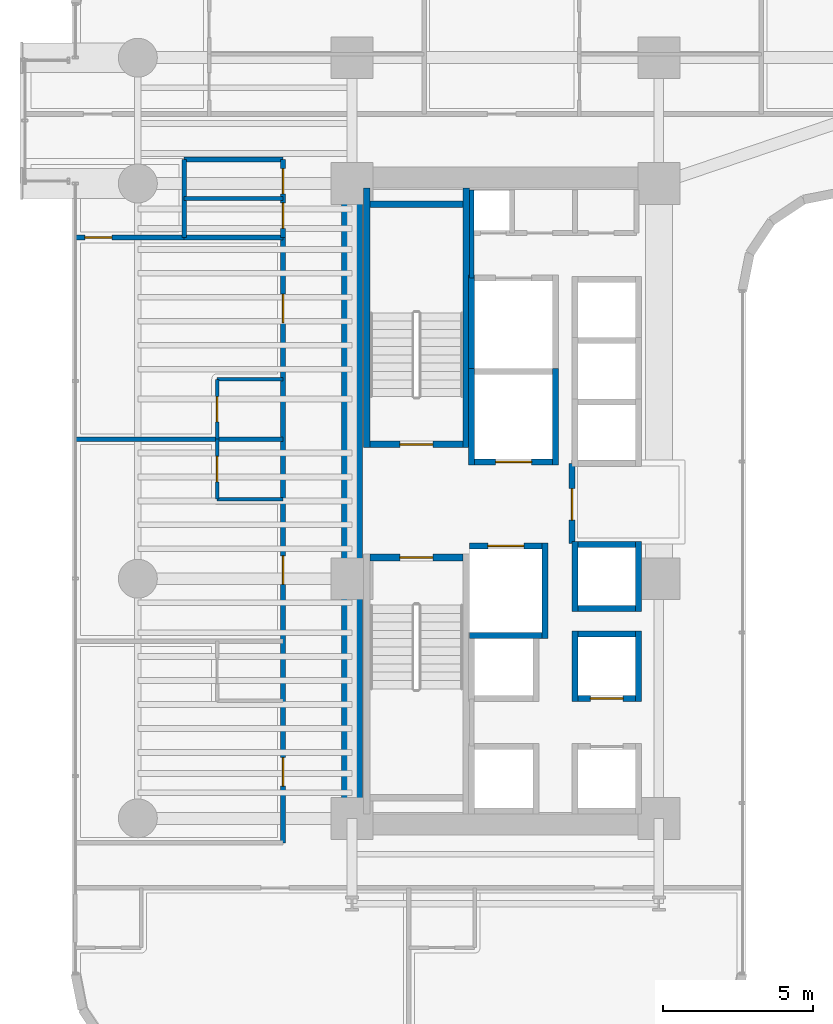
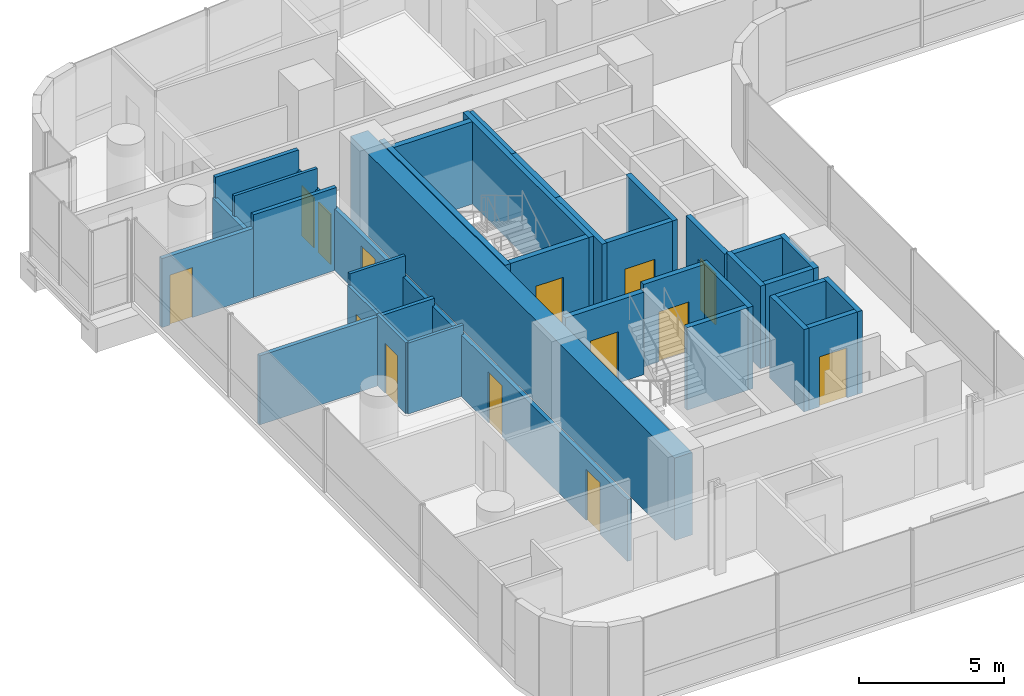
# One storey, part 32 of 42: 35 walls, 14 doors, 14 openings.
"""IFC4 building model written with IfcOpenShell, lengths in metres."""

from ifc_helpers import new_model, si_unit, direction, frame, frame_2d, origin, place, context, subcontext, project, spatial, rectangle, extrude, material, layer, layer_set, type_object, element, fill, save


model = new_model("IFC4")

# Units and contexts
model_context = context("Model", 3, precision=1e-05, world=origin(), true_north=direction((0.0, 1.0)))
body_context = subcontext(model_context, "Body", "Model", "MODEL_VIEW")
ifc_project = project(units=[si_unit("LENGTHUNIT", "METRE"), si_unit("AREAUNIT", "SQUARE_METRE"), si_unit("VOLUMEUNIT", "CUBIC_METRE"), si_unit("PLANEANGLEUNIT", "RADIAN"), si_unit("MASSUNIT", "GRAM", prefix="KILO")], contexts=[model_context])

# Site, building, storey
site_placement = place(None, origin())
site = spatial("IfcSite", under=ifc_project, at=site_placement, CompositionType="ELEMENT")
building_placement = place(site_placement, origin())
building = spatial("IfcBuilding", under=site, at=building_placement, Name="Valdorenza Pilgrim Sanctuary Tower", CompositionType="ELEMENT")
storey_placement = place(building_placement, frame((0.0, 0.0, 55.60009765625)))
storey = spatial("IfcBuildingStorey", under=building, at=storey_placement, Name="L13", CompositionType="ELEMENT", Elevation=55.60009765625)

# Walls
ifc_material_1 = material(Name="Acoustic twin-stud gypsum partition", Category="gypsum")
ifc_layer_1 = layer(ifc_material_1, 0.159912109375, Name="Acoustic twin-stud gypsum partition")
ifc_layer_set_1 = layer_set([ifc_layer_1], Name="Acoustic twin-stud gypsum partition")
wall_type_1 = type_object("IfcWallType", Name="WAL-COR-160", PredefinedType="PARTITIONING", material=ifc_layer_set_1)
wall_1_placement = place(storey_placement, frame((-18.64990234375, 7.449951171875, 0.0), z_axis=(0.0, 0.0, 1.0), x_axis=(0.0, 1.0, 0.0)))
element("IfcWall", 1, at=wall_1_placement, inside=storey, type_object=wall_type_1, Name="L13 Core A North Service West Wall", PredefinedType="PARTITIONING", context=body_context, shape_type="SweptSolid", body=[
    extrude(rectangle(XDim=2.929931640625, YDim=0.159912109375, at=frame_2d((1.46484375, 0.0))), origin(), (0.0, 0.0, 1.0), 3.4599609375),
])
wall_2_placement = place(storey_placement, frame((-28.25, 8.800048828125, 0.0), z_axis=(0.0, 0.0, 1.0), x_axis=(0.0, 1.0, 0.0)))
element("IfcWall", 2, at=wall_2_placement, inside=storey, type_object=wall_type_1, Name="L13 Washroom West Wall", PredefinedType="PARTITIONING", context=body_context, shape_type="SweptSolid", body=[
    extrude(rectangle(XDim=2.599853515625, YDim=0.159912109375, at=frame_2d((1.2998046875, 0.0))), origin(), (0.0, 0.0, 1.0), 2.5830078125),
])

# Wall, openings, doors
wall_3_placement = place(storey_placement, frame((-24.949951171875, 8.800048828125, 0.0), z_axis=(0.0, 0.0, 1.0), x_axis=(0.0, 1.0, 0.0)))
wall_3 = element("IfcWall", 3, at=wall_3_placement, inside=storey, type_object=wall_type_1, Name="L13 Washroom East Wall", PredefinedType="PARTITIONING", context=body_context, shape_type="SweptSolid", body=[
    extrude(rectangle(XDim=2.599853515625, YDim=0.159912109375, at=frame_2d((1.2998046875, 0.0))), origin(), (0.0, 0.0, 1.0), 2.5830078125),
])
opening_1_placement = place(wall_3_placement, frame((0.300048828125, 0.0, 0.0)))
opening_1 = element("IfcOpeningElement", 4, at=opening_1_placement, cuts=wall_3, Name="Opening DR-WC1", PredefinedType="OPENING", context=body_context, shape_type="SweptSolid", body=[
    extrude(rectangle(XDim=0.85009765625, YDim=2.10009765625, at=frame_2d((0.425048828125, 1.050048828125))), frame((0.0, 0.0947265625, 0.0), z_axis=(0.0, -1.0, 0.0), x_axis=(1.0, 0.0, 0.0)), (0.0, 0.0, 1.0), 0.189697265625),
])
opening_2_placement = place(wall_3_placement, frame((1.449951171875, 0.0, 0.0)))
opening_2 = element("IfcOpeningElement", 5, at=opening_2_placement, cuts=wall_3, Name="Opening DR-WC1", PredefinedType="OPENING", context=body_context, shape_type="SweptSolid", body=[
    extrude(rectangle(XDim=0.85009765625, YDim=2.10009765625, at=frame_2d((0.425048828125, 1.050048828125))), frame((0.0, 0.0947265625, 0.0), z_axis=(0.0, -1.0, 0.0), x_axis=(1.0, 0.0, 0.0)), (0.0, 0.0, 1.0), 0.189697265625),
])
ifc_material_2 = material(Name="Moisture-resistant lacquered timber", Category="wood")
door_type_1 = type_object("IfcDoorType", Name="DR-BATH-850", OperationType="NOTDEFINED", PredefinedType="DOOR", material=ifc_material_2)
door_1_placement = place(opening_1_placement, origin())
door_1 = element("IfcDoor", 6, at=door_1_placement, inside=storey, type_object=door_type_1, Name="L13 Accessible Washroom Door", OperationType="SINGLE_SWING_RIGHT", OverallHeight=2.10009765625, OverallWidth=0.85009765625, PredefinedType="DOOR", context=body_context, shape_type="SweptSolid", body=[
    extrude(rectangle(XDim=0.85009765625, YDim=2.10009765625, at=frame_2d((0.425048828125, 1.050048828125))), frame((0.0, 0.02490234375, 0.0), z_axis=(0.0, -1.0, 0.0), x_axis=(1.0, 0.0, 0.0)), (0.0, 0.0, 1.0), 0.050048828125),
])
fill(opening_1, door_1)
door_2_placement = place(opening_2_placement, origin())
door_2 = element("IfcDoor", 7, at=door_2_placement, inside=storey, type_object=door_type_1, Name="L13 Public Washroom Door", OperationType="SINGLE_SWING_LEFT", OverallHeight=2.10009765625, OverallWidth=0.85009765625, PredefinedType="DOOR", context=body_context, shape_type="SweptSolid", body=[
    extrude(rectangle(XDim=0.85009765625, YDim=2.10009765625, at=frame_2d((0.425048828125, 1.050048828125))), frame((0.0, 0.02490234375, 0.0), z_axis=(0.0, -1.0, 0.0), x_axis=(1.0, 0.0, 0.0)), (0.0, 0.0, 1.0), 0.050048828125),
])
fill(opening_2, door_2)

# Walls
for number, where, z_axis, x_axis, name in (
    (8, (-28.25, 8.800048828125, 0.0), (0.0, 0.0, 1.0), (1.0, 0.0, 0.0), "L13 Washroom South Wall"),
    (9, (-28.25, 11.39990234375, 0.0), (0.0, 0.0, 1.0), (1.0, 0.0, 0.0), "L13 Washroom North Wall"),
):
    element("IfcWall", number, at=place(storey_placement, frame(where, z_axis=z_axis, x_axis=x_axis)), inside=storey, type_object=wall_type_1, Name=name, PredefinedType="PARTITIONING", context=body_context, shape_type="SweptSolid", body=[
        extrude(rectangle(XDim=3.300048828125, YDim=0.159912109375, at=frame_2d((1.64990234375, 0.0))), origin(), (0.0, 0.0, 1.0), 3.4599609375),
    ])

# Wall, openings, doors
wall_4_placement = place(storey_placement, frame((-24.949951171875, -11.419921875, 0.0), z_axis=(0.0, 0.0, 1.0), x_axis=(0.0, 1.0, 0.0)))
wall_4 = element("IfcWall", 10, at=wall_4_placement, inside=storey, type_object=wall_type_1, Name="L13 West Wing Corridor Wall", PredefinedType="PARTITIONING", context=body_context, shape_type="SweptSolid", body=[
    extrude(rectangle(XDim=20.219970703125, YDim=0.159912109375, at=frame_2d((10.10986328125, 0.0))), origin(), (0.0, 0.0, 1.0), 2.5830078125),
])
opening_3_placement = place(wall_4_placement, frame((1.89501953125, 0.0, 0.0)))
opening_3 = element("IfcOpeningElement", 11, at=opening_3_placement, cuts=wall_4, Name="Opening DR-UN1", PredefinedType="OPENING", context=body_context, shape_type="SweptSolid", body=[
    extrude(rectangle(XDim=0.949951171875, YDim=2.14990234375, at=frame_2d((0.47509765625, 1.074951171875))), frame((0.0, 0.0947265625, 0.0), z_axis=(0.0, -1.0, 0.0), x_axis=(1.0, 0.0, 0.0)), (0.0, 0.0, 1.0), 0.189697265625),
])
opening_4_placement = place(wall_4_placement, frame((8.635009765625, 0.0, 0.0)))
opening_4 = element("IfcOpeningElement", 12, at=opening_4_placement, cuts=wall_4, Name="Opening DR-UN1", PredefinedType="OPENING", context=body_context, shape_type="SweptSolid", body=[
    extrude(rectangle(XDim=0.949951171875, YDim=2.14990234375, at=frame_2d((0.47509765625, 1.074951171875))), frame((0.0, 0.0947265625, 0.0), z_axis=(0.0, -1.0, 0.0), x_axis=(1.0, 0.0, 0.0)), (0.0, 0.0, 1.0), 0.189697265625),
])
opening_5_placement = place(wall_4_placement, frame((17.375, 0.0, 0.0)))
opening_5 = element("IfcOpeningElement", 13, at=opening_5_placement, cuts=wall_4, Name="Opening DR-UN1", PredefinedType="OPENING", context=body_context, shape_type="SweptSolid", body=[
    extrude(rectangle(XDim=0.949951171875, YDim=2.14990234375, at=frame_2d((0.47509765625, 1.074951171875))), frame((0.0, 0.0947265625, 0.0), z_axis=(0.0, -1.0, 0.0), x_axis=(1.0, 0.0, 0.0)), (0.0, 0.0, 1.0), 0.189697265625),
])
ifc_material_3 = material(Name="Solid-core European oak timber", Category="wood")
door_type_2 = type_object("IfcDoorType", Name="DR-UNIT-950", OperationType="NOTDEFINED", PredefinedType="DOOR", material=ifc_material_3)
door_3_placement = place(opening_3_placement, frame((0.949951171875, 0.0, 0.0), z_axis=(0.0, 0.0, 1.0), x_axis=(-1.0, 0.0, 0.0)))
door_3 = element("IfcDoor", 14, at=door_3_placement, inside=storey, type_object=door_type_2, Name="L13 Sanctuary Guest Room L13-W1 Entrance Door", OperationType="SINGLE_SWING_LEFT", OverallHeight=2.14990234375, OverallWidth=0.949951171875, PredefinedType="DOOR", context=body_context, shape_type="SweptSolid", body=[
    extrude(rectangle(XDim=0.949951171875, YDim=2.14990234375, at=frame_2d((0.47509765625, 1.074951171875))), frame((0.0, 0.02490234375, 0.0), z_axis=(0.0, -1.0, 0.0), x_axis=(1.0, 0.0, 0.0)), (0.0, 0.0, 1.0), 0.050048828125),
])
fill(opening_3, door_3)
door_4_placement = place(opening_4_placement, frame((0.949951171875, 0.0, 0.0), z_axis=(0.0, 0.0, 1.0), x_axis=(-1.0, 0.0, 0.0)))
door_4 = element("IfcDoor", 15, at=door_4_placement, inside=storey, type_object=door_type_2, Name="L13 Sanctuary Guest Room L13-W2 Entrance Door", OperationType="SINGLE_SWING_LEFT", OverallHeight=2.14990234375, OverallWidth=0.949951171875, PredefinedType="DOOR", context=body_context, shape_type="SweptSolid", body=[
    extrude(rectangle(XDim=0.949951171875, YDim=2.14990234375, at=frame_2d((0.47509765625, 1.074951171875))), frame((0.0, 0.02490234375, 0.0), z_axis=(0.0, -1.0, 0.0), x_axis=(1.0, 0.0, 0.0)), (0.0, 0.0, 1.0), 0.050048828125),
])
fill(opening_4, door_4)
door_5_placement = place(opening_5_placement, frame((0.949951171875, 0.0, 0.0), z_axis=(0.0, 0.0, 1.0), x_axis=(-1.0, 0.0, 0.0)))
door_5 = element("IfcDoor", 16, at=door_5_placement, inside=storey, type_object=door_type_2, Name="L13 Sanctuary Guest Room L13-W3 Entrance Door", OperationType="SINGLE_SWING_LEFT", OverallHeight=2.14990234375, OverallWidth=0.949951171875, PredefinedType="DOOR", context=body_context, shape_type="SweptSolid", body=[
    extrude(rectangle(XDim=0.949951171875, YDim=2.14990234375, at=frame_2d((0.47509765625, 1.074951171875))), frame((0.0, 0.02490234375, 0.0), z_axis=(0.0, -1.0, 0.0), x_axis=(1.0, 0.0, 0.0)), (0.0, 0.0, 1.0), 0.050048828125),
])
fill(opening_5, door_5)

# Wall, opening, door
wall_5_placement = place(storey_placement, frame((-31.889892578125, 8.800048828125, 0.0), z_axis=(0.0, 0.0, 1.0), x_axis=(1.0, 0.0, 0.0)))
wall_5 = element("IfcWall", 17, at=wall_5_placement, inside=storey, type_object=wall_type_1, Name="L13 West North Alcove Wall", PredefinedType="PARTITIONING", context=body_context, shape_type="SweptSolid", body=[
    extrude(rectangle(XDim=3.639892578125, YDim=0.159912109375, at=frame_2d((1.81982421875, 0.0))), origin(), (0.0, 0.0, 1.0), 2.89599609375),
])
opening_6_placement = place(wall_5_placement, frame((0.320068359375, 0.0, 0.0)))
opening_6 = element("IfcOpeningElement", 18, at=opening_6_placement, cuts=wall_5, Name="Opening DR-RM1", PredefinedType="OPENING", context=body_context, shape_type="SweptSolid", body=[
    extrude(rectangle(XDim=0.89990234375, YDim=2.10009765625, at=frame_2d((0.449951171875, 1.050048828125))), frame((0.0, 0.0947265625, 0.0), z_axis=(0.0, -1.0, 0.0), x_axis=(1.0, 0.0, 0.0)), (0.0, 0.0, 1.0), 0.189697265625),
])
door_type_3 = type_object("IfcDoorType", Name="DR-ROOM-900", OperationType="NOTDEFINED", PredefinedType="DOOR", material=ifc_material_3)
door_6_placement = place(opening_6_placement, origin())
door_6 = element("IfcDoor", 19, at=door_6_placement, inside=storey, type_object=door_type_3, Name="L13 Pilgrim Scholar Office L13-WN Door", OperationType="SINGLE_SWING_RIGHT", OverallHeight=2.10009765625, OverallWidth=0.89990234375, PredefinedType="DOOR", context=body_context, shape_type="SweptSolid", body=[
    extrude(rectangle(XDim=0.89990234375, YDim=2.10009765625, at=frame_2d((0.449951171875, 1.050048828125))), frame((0.0, 0.02490234375, 0.0), z_axis=(0.0, -1.0, 0.0), x_axis=(1.0, 0.0, 0.0)), (0.0, 0.0, 1.0), 0.050048828125),
])
fill(opening_6, door_6)

# Wall
ifc_material_4 = material(Name="Concrete C60/75", Category="concrete")
ifc_layer_2 = layer(ifc_material_4, 0.699951171875, Name="Concrete C60/75")
ifc_layer_set_2 = layer_set([ifc_layer_2], Name="Concrete C60/75")
wall_type_2 = type_object("IfcWallType", Name="WAL-COR-700", PredefinedType="SHEAR", material=ifc_layer_set_2)
wall_6_placement = place(storey_placement, frame((-22.64990234375, -11.14990234375, 0.0), z_axis=(0.0, 0.0, 1.0), x_axis=(0.0, 1.0, 0.0)))
element("IfcWall", 20, at=wall_6_placement, inside=storey, type_object=wall_type_2, Name="L13 Split Core A Shear Wall W", PredefinedType="SHEAR", context=body_context, shape_type="SweptSolid", body=[
    extrude(rectangle(XDim=22.2998046875, YDim=0.699951171875, at=frame_2d((11.14990234375, 0.0))), origin(), (0.0, 0.0, 1.0), 3.4599609375),
])

# Wall, opening, door
ifc_material_5 = material(Name="Gypsum shaftwall partition", Category="gypsum")
ifc_layer_3 = layer(ifc_material_5, 0.199951171875, Name="Gypsum shaftwall partition")
ifc_layer_set_3 = layer_set([ifc_layer_3], Name="Gypsum shaftwall partition")
wall_type_3 = type_object("IfcWallType", Name="WAL-FFL-200", PredefinedType="PARTITIONING", material=ifc_layer_set_3)
wall_7_placement = place(storey_placement, frame((-15.300048828125, -1.419921875, 0.0), z_axis=(0.0, 0.0, 1.0), x_axis=(0.0, 1.0, 0.0)))
wall_7 = element("IfcWall", 21, at=wall_7_placement, inside=storey, type_object=wall_type_3, Name="L13 Core A Firefighting Lobby East Wall", PredefinedType="PARTITIONING", context=body_context, shape_type="SweptSolid", body=[
    extrude(rectangle(XDim=2.669921875, YDim=0.199951171875, at=frame_2d((1.3349609375, 0.0))), origin(), (0.0, 0.0, 1.0), 3.4599609375),
])
opening_7_placement = place(wall_7_placement, frame((0.780029296875, 0.0, 0.0)))
opening_7 = element("IfcOpeningElement", 22, at=opening_7_placement, cuts=wall_7, Name="Opening DR-FL1", PredefinedType="OPENING", context=body_context, shape_type="SweptSolid", body=[
    extrude(rectangle(XDim=1.050048828125, YDim=2.14990234375, at=frame_2d((0.52490234375, 1.074951171875))), frame((0.0, 0.11474609375, 0.0), z_axis=(0.0, -1.0, 0.0), x_axis=(1.0, 0.0, 0.0)), (0.0, 0.0, 1.0), 0.229736328125),
])
ifc_material_6 = material(Name="Painted galvanized steel", Category="steel")
door_type_4 = type_object("IfcDoorType", Name="DR-FFL-1050", OperationType="NOTDEFINED", PredefinedType="DOOR", material=ifc_material_6)
door_7_placement = place(opening_7_placement, origin())
door_7 = element("IfcDoor", 23, at=door_7_placement, inside=storey, type_object=door_type_4, Name="L13 Core A Firefighting Lobby Door", OperationType="SINGLE_SWING_RIGHT", OverallHeight=2.14990234375, OverallWidth=1.050048828125, PredefinedType="DOOR", context=body_context, shape_type="SweptSolid", body=[
    extrude(rectangle(XDim=1.050048828125, YDim=2.14990234375, at=frame_2d((0.52490234375, 1.074951171875))), frame((0.0, 0.02490234375, 0.0), z_axis=(0.0, -1.0, 0.0), x_axis=(1.0, 0.0, 0.0)), (0.0, 0.0, 1.0), 0.050048828125),
])
fill(opening_7, door_7)

# Walls
ifc_material_7 = material(Name="Moisture-resistant gypsum partition", Category="gypsum")
ifc_layer_4 = layer(ifc_material_7, 0.1201171875, Name="Moisture-resistant gypsum partition")
ifc_layer_set_4 = layer_set([ifc_layer_4], Name="Moisture-resistant gypsum partition")
wall_type_4 = type_object("IfcWallType", Name="WAL-INT-120", PredefinedType="PARTITIONING", material=ifc_layer_set_4)
wall_8_placement = place(storey_placement, frame((-28.25, 10.10009765625, 0.0), z_axis=(0.0, 0.0, 1.0), x_axis=(1.0, 0.0, 0.0)))
element("IfcWall", 24, at=wall_8_placement, inside=storey, type_object=wall_type_4, Name="L13 Washroom Divider Wall", PredefinedType="PARTITIONING", context=body_context, shape_type="SweptSolid", body=[
    extrude(rectangle(XDim=3.300048828125, YDim=0.1201171875, at=frame_2d((1.64990234375, 0.0))), origin(), (0.0, 0.0, 1.0), 3.4599609375),
])
wall_9_placement = place(storey_placement, frame((-27.14990234375, 0.06005859375, 0.0), z_axis=(0.0, 0.0, 1.0), x_axis=(1.0, 0.0, 0.0)))
element("IfcWall", 25, at=wall_9_placement, inside=storey, type_object=wall_type_4, Name="L13 Sanctuary Guest Room L13-W2 En-suite South Wall", PredefinedType="PARTITIONING", context=body_context, shape_type="SweptSolid", body=[
    extrude(rectangle(XDim=2.199951171875, YDim=0.1201171875, at=frame_2d((1.10009765625, 0.0))), origin(), (0.0, 0.0, 1.0), 2.97900390625),
])

# Wall, opening, door
wall_10_placement = place(storey_placement, frame((-27.14990234375, 0.06005859375, 0.0), z_axis=(0.0, 0.0, 1.0), x_axis=(0.0, 1.0, 0.0)))
wall_10 = element("IfcWall", 26, at=wall_10_placement, inside=storey, type_object=wall_type_4, Name="L13 Sanctuary Guest Room L13-W2 En-suite Door Wall", PredefinedType="PARTITIONING", context=body_context, shape_type="SweptSolid", body=[
    extrude(rectangle(XDim=2.0, YDim=0.1201171875, at=frame_2d((1.0, 0.0))), origin(), (0.0, 0.0, 1.0), 2.97900390625),
])
opening_8_placement = place(wall_10_placement, frame((0.574951171875, 0.0, 0.0)))
opening_8 = element("IfcOpeningElement", 27, at=opening_8_placement, cuts=wall_10, Name="Opening DR-WC1", PredefinedType="OPENING", context=body_context, shape_type="SweptSolid", body=[
    extrude(rectangle(XDim=0.85009765625, YDim=2.10009765625, at=frame_2d((0.425048828125, 1.050048828125))), frame((0.0, 0.074951171875, 0.0), z_axis=(0.0, -1.0, 0.0), x_axis=(1.0, 0.0, 0.0)), (0.0, 0.0, 1.0), 0.14990234375),
])
door_8_placement = place(opening_8_placement, origin())
door_8 = element("IfcDoor", 28, at=door_8_placement, inside=storey, type_object=door_type_1, Name="L13 Sanctuary Guest Room L13-W2 En-suite Bathroom Door", OperationType="SINGLE_SWING_RIGHT", OverallHeight=2.10009765625, OverallWidth=0.85009765625, PredefinedType="DOOR", context=body_context, shape_type="SweptSolid", body=[
    extrude(rectangle(XDim=0.85009765625, YDim=2.10009765625, at=frame_2d((0.425048828125, 1.050048828125))), frame((0.0, 0.02490234375, 0.0), z_axis=(0.0, -1.0, 0.0), x_axis=(1.0, 0.0, 0.0)), (0.0, 0.0, 1.0), 0.050048828125),
])
fill(opening_8, door_8)

# Wall
wall_11_placement = place(storey_placement, frame((-27.14990234375, 4.06005859375, 0.0), z_axis=(0.0, 0.0, 1.0), x_axis=(1.0, 0.0, 0.0)))
element("IfcWall", 29, at=wall_11_placement, inside=storey, type_object=wall_type_4, Name="L13 Sanctuary Guest Room L13-W3 En-suite North Wall", PredefinedType="PARTITIONING", context=body_context, shape_type="SweptSolid", body=[
    extrude(rectangle(XDim=2.199951171875, YDim=0.1201171875, at=frame_2d((1.10009765625, 0.0))), origin(), (0.0, 0.0, 1.0), 3.4599609375),
])

# Wall, opening, door
wall_12_placement = place(storey_placement, frame((-27.14990234375, 2.06005859375, 0.0), z_axis=(0.0, 0.0, 1.0), x_axis=(0.0, 1.0, 0.0)))
wall_12 = element("IfcWall", 30, at=wall_12_placement, inside=storey, type_object=wall_type_4, Name="L13 Sanctuary Guest Room L13-W3 En-suite Door Wall", PredefinedType="PARTITIONING", context=body_context, shape_type="SweptSolid", body=[
    extrude(rectangle(XDim=2.0, YDim=0.1201171875, at=frame_2d((1.0, 0.0))), origin(), (0.0, 0.0, 1.0), 2.97900390625),
])
opening_9_placement = place(wall_12_placement, frame((0.574951171875, 0.0, 0.0)))
opening_9 = element("IfcOpeningElement", 31, at=opening_9_placement, cuts=wall_12, Name="Opening DR-WC1", PredefinedType="OPENING", context=body_context, shape_type="SweptSolid", body=[
    extrude(rectangle(XDim=0.85009765625, YDim=2.10009765625, at=frame_2d((0.425048828125, 1.050048828125))), frame((0.0, 0.074951171875, 0.0), z_axis=(0.0, -1.0, 0.0), x_axis=(1.0, 0.0, 0.0)), (0.0, 0.0, 1.0), 0.14990234375),
])
door_9_placement = place(opening_9_placement, origin())
door_9 = element("IfcDoor", 32, at=door_9_placement, inside=storey, type_object=door_type_1, Name="L13 Sanctuary Guest Room L13-W3 En-suite Bathroom Door", OperationType="SINGLE_SWING_RIGHT", OverallHeight=2.10009765625, OverallWidth=0.85009765625, PredefinedType="DOOR", context=body_context, shape_type="SweptSolid", body=[
    extrude(rectangle(XDim=0.85009765625, YDim=2.10009765625, at=frame_2d((0.425048828125, 1.050048828125))), frame((0.0, 0.02490234375, 0.0), z_axis=(0.0, -1.0, 0.0), x_axis=(1.0, 0.0, 0.0)), (0.0, 0.0, 1.0), 0.050048828125),
])
fill(opening_9, door_9)

# Walls
ifc_material_8 = material(Name="Autoclaved aerated concrete blockwork", Category="masonry")
ifc_layer_5 = layer(ifc_material_8, 0.199951171875, Name="Autoclaved aerated concrete blockwork")
ifc_layer_set_5 = layer_set([ifc_layer_5], Name="Autoclaved aerated concrete blockwork")
wall_type_5 = type_object("IfcWallType", Name="WAL-SHF-200", PredefinedType="MOVABLE", material=ifc_layer_set_5)
for number, where, z_axis, x_axis, name in (
    (33, (-18.64990234375, 1.199951171875, 0.0), (0.0, 0.0, 1.0), (0.0, 1.0, 0.0), "L13 Lift FFL-01 Hoistway Wall West"),
    (34, (-15.85009765625, 1.199951171875, 0.0), (0.0, 0.0, 1.0), (0.0, 1.0, 0.0), "L13 Lift FFL-01 Hoistway Wall East"),
):
    element("IfcWall", number, at=place(storey_placement, frame(where, z_axis=z_axis, x_axis=x_axis)), inside=storey, type_object=wall_type_5, Name=name, PredefinedType="MOVABLE", context=body_context, shape_type="SweptSolid", body=[
        extrude(rectangle(XDim=3.22509765625, YDim=0.199951171875, at=frame_2d((1.612548828125, 0.0))), origin(), (0.0, 0.0, 1.0), 3.4599609375),
    ])

# Wall, opening, door
wall_13_placement = place(storey_placement, frame((-18.550048828125, 1.300048828125, 0.0), z_axis=(0.0, 0.0, 1.0), x_axis=(1.0, 0.0, 0.0)))
wall_13 = element("IfcWall", 35, at=wall_13_placement, inside=storey, type_object=wall_type_5, Name="L13 Lift FFL-01 Hoistway Wall South", PredefinedType="MOVABLE", context=body_context, shape_type="SweptSolid", body=[
    extrude(rectangle(XDim=2.60009765625, YDim=0.199951171875, at=frame_2d((1.300048828125, 0.0))), origin(), (0.0, 0.0, 1.0), 3.4599609375),
])
opening_10_placement = place(wall_13_placement, frame((0.699951171875, 0.0, 0.0)))
opening_10 = element("IfcOpeningElement", 36, at=opening_10_placement, cuts=wall_13, Name="Opening LD-02", PredefinedType="OPENING", context=body_context, shape_type="SweptSolid", body=[
    extrude(rectangle(XDim=1.199951171875, YDim=2.10009765625, at=frame_2d((0.60009765625, 1.050048828125))), frame((0.0, 0.11474609375, 0.0), z_axis=(0.0, -1.0, 0.0), x_axis=(1.0, 0.0, 0.0)), (0.0, 0.0, 1.0), 0.229736328125),
])
ifc_material_9 = material(Name="Brushed stainless steel Grade 316", Category="steel")
door_type_5 = type_object("IfcDoorType", Name="DR-LFT-1200", OperationType="DOUBLE_DOOR_SLIDING", PredefinedType="DOOR", material=ifc_material_9)
door_10_placement = place(opening_10_placement, origin())
door_10 = element("IfcDoor", 37, at=door_10_placement, inside=storey, type_object=door_type_5, Name="L13 Lift FFL-01 Sliding Landing Door", OperationType="DOUBLE_DOOR_SLIDING", OverallHeight=2.10009765625, OverallWidth=1.199951171875, PredefinedType="DOOR", context=body_context, shape_type="SweptSolid", body=[
    extrude(rectangle(XDim=1.199951171875, YDim=2.10009765625, at=frame_2d((0.60009765625, 1.050048828125))), frame((0.0, 0.02490234375, 0.0), z_axis=(0.0, -1.0, 0.0), x_axis=(1.0, 0.0, 0.0)), (0.0, 0.0, 1.0), 0.050048828125),
])
fill(opening_10, door_10)

# Walls
wall_14_placement = place(storey_placement, frame((-16.199951171875, -4.60009765625, 0.0), z_axis=(0.0, 0.0, 1.0), x_axis=(0.0, 1.0, 0.0)))
element("IfcWall", 38, at=wall_14_placement, inside=storey, type_object=wall_type_5, Name="L13 Lift FFL-02 Hoistway Wall East", PredefinedType="MOVABLE", context=body_context, shape_type="SweptSolid", body=[
    extrude(rectangle(XDim=3.2001953125, YDim=0.199951171875, at=frame_2d((1.60009765625, 0.0))), origin(), (0.0, 0.0, 1.0), 3.4599609375),
])
wall_15_placement = place(storey_placement, frame((-18.719970703125, -4.5, 0.0), z_axis=(0.0, 0.0, 1.0), x_axis=(1.0, 0.0, 0.0)))
element("IfcWall", 39, at=wall_15_placement, inside=storey, type_object=wall_type_5, Name="L13 Lift FFL-02 Hoistway Wall South", PredefinedType="MOVABLE", context=body_context, shape_type="SweptSolid", body=[
    extrude(rectangle(XDim=2.419921875, YDim=0.199951171875, at=frame_2d((1.2099609375, 0.0))), origin(), (0.0, 0.0, 1.0), 3.4599609375),
])

# Wall, opening, door
wall_16_placement = place(storey_placement, frame((-18.719970703125, -1.5, 0.0), z_axis=(0.0, 0.0, 1.0), x_axis=(1.0, 0.0, 0.0)))
wall_16 = element("IfcWall", 40, at=wall_16_placement, inside=storey, type_object=wall_type_5, Name="L13 Lift FFL-02 Hoistway Wall North", PredefinedType="MOVABLE", context=body_context, shape_type="SweptSolid", body=[
    extrude(rectangle(XDim=2.419921875, YDim=0.199951171875, at=frame_2d((1.2099609375, 0.0))), origin(), (0.0, 0.0, 1.0), 3.4599609375),
])
opening_11_placement = place(wall_16_placement, frame((0.610107421875, 0.0, 0.0)))
opening_11 = element("IfcOpeningElement", 41, at=opening_11_placement, cuts=wall_16, Name="Opening LD-02", PredefinedType="OPENING", context=body_context, shape_type="SweptSolid", body=[
    extrude(rectangle(XDim=1.199951171875, YDim=2.10009765625, at=frame_2d((0.60009765625, 1.050048828125))), frame((0.0, 0.11474609375, 0.0), z_axis=(0.0, -1.0, 0.0), x_axis=(1.0, 0.0, 0.0)), (0.0, 0.0, 1.0), 0.229736328125),
])
door_11_placement = place(opening_11_placement, origin())
door_11 = element("IfcDoor", 42, at=door_11_placement, inside=storey, type_object=door_type_5, Name="L13 Lift FFL-02 Sliding Landing Door", OperationType="DOUBLE_DOOR_SLIDING", OverallHeight=2.10009765625, OverallWidth=1.199951171875, PredefinedType="DOOR", context=body_context, shape_type="SweptSolid", body=[
    extrude(rectangle(XDim=1.199951171875, YDim=2.10009765625, at=frame_2d((0.60009765625, 1.050048828125))), frame((0.0, 0.02490234375, 0.0), z_axis=(0.0, -1.0, 0.0), x_axis=(1.0, 0.0, 0.0)), (0.0, 0.0, 1.0), 0.050048828125),
])
fill(opening_11, door_11)

# Walls
wall_17_placement = place(storey_placement, frame((-18.64990234375, 4.22509765625, 0.0), z_axis=(0.0, 0.0, 1.0), x_axis=(0.0, 1.0, 0.0)))
element("IfcWall", 43, at=wall_17_placement, inside=storey, type_object=wall_type_5, Name="L13 Lift SVL-01 Hoistway Wall West", PredefinedType="MOVABLE", context=body_context, shape_type="SweptSolid", body=[
    extrude(rectangle(XDim=3.324951171875, YDim=0.199951171875, at=frame_2d((1.66259765625, 0.0))), origin(), (0.0, 0.0, 1.0), 3.4599609375),
])
for number, where, z_axis, x_axis, name in (
    (44, (-15.199951171875, -6.699951171875, 0.0), (0.0, 0.0, 1.0), (0.0, 1.0, 0.0), "L13 Lift PL-02 Hoistway Wall West"),
    (45, (-13.080078125, -6.699951171875, 0.0), (0.0, 0.0, 1.0), (0.0, 1.0, 0.0), "L13 Lift PL-02 Hoistway Wall East"),
):
    element("IfcWall", number, at=place(storey_placement, frame(where, z_axis=z_axis, x_axis=x_axis)), inside=storey, type_object=wall_type_5, Name=name, PredefinedType="MOVABLE", context=body_context, shape_type="SweptSolid", body=[
        extrude(rectangle(XDim=2.349853515625, YDim=0.199951171875, at=frame_2d((1.1748046875, 0.0))), origin(), (0.0, 0.0, 1.0), 3.4599609375),
    ])

# Wall, opening, door
wall_18_placement = place(storey_placement, frame((-15.10009765625, -6.60009765625, 0.0), z_axis=(0.0, 0.0, 1.0), x_axis=(1.0, 0.0, 0.0)))
wall_18 = element("IfcWall", 46, at=wall_18_placement, inside=storey, type_object=wall_type_5, Name="L13 Lift PL-02 Hoistway Wall South", PredefinedType="MOVABLE", context=body_context, shape_type="SweptSolid", body=[
    extrude(rectangle(XDim=1.920166015625, YDim=0.199951171875, at=frame_2d((0.9599609375, 0.0))), origin(), (0.0, 0.0, 1.0), 3.4599609375),
])
opening_12_placement = place(wall_18_placement, frame((0.409912109375, 0.0, 0.0)))
opening_12 = element("IfcOpeningElement", 47, at=opening_12_placement, cuts=wall_18, Name="Opening LD-01", PredefinedType="OPENING", context=body_context, shape_type="SweptSolid", body=[
    extrude(rectangle(XDim=1.10009765625, YDim=2.10009765625, at=frame_2d((0.550048828125, 1.050048828125))), frame((0.0, 0.11474609375, 0.0), z_axis=(0.0, -1.0, 0.0), x_axis=(1.0, 0.0, 0.0)), (0.0, 0.0, 1.0), 0.229736328125),
])
door_type_6 = type_object("IfcDoorType", Name="DR-LFT-1100", OperationType="DOUBLE_DOOR_SLIDING", PredefinedType="DOOR", material=ifc_material_9)
door_12_placement = place(opening_12_placement, origin())
door_12 = element("IfcDoor", 48, at=door_12_placement, inside=storey, type_object=door_type_6, Name="L13 Lift PL-02 Sliding Landing Door", OperationType="DOUBLE_DOOR_SLIDING", OverallHeight=2.10009765625, OverallWidth=1.10009765625, PredefinedType="DOOR", context=body_context, shape_type="SweptSolid", body=[
    extrude(rectangle(XDim=1.10009765625, YDim=2.10009765625, at=frame_2d((0.550048828125, 1.050048828125))), frame((0.0, 0.02490234375, 0.0), z_axis=(0.0, -1.0, 0.0), x_axis=(1.0, 0.0, 0.0)), (0.0, 0.0, 1.0), 0.050048828125),
])
fill(opening_12, door_12)

# Walls
wall_19_placement = place(storey_placement, frame((-15.10009765625, -4.449951171875, 0.0), z_axis=(0.0, 0.0, 1.0), x_axis=(1.0, 0.0, 0.0)))
element("IfcWall", 49, at=wall_19_placement, inside=storey, type_object=wall_type_5, Name="L13 Lift PL-02 Hoistway Wall North", PredefinedType="MOVABLE", context=body_context, shape_type="SweptSolid", body=[
    extrude(rectangle(XDim=1.920166015625, YDim=0.199951171875, at=frame_2d((0.9599609375, 0.0))), origin(), (0.0, 0.0, 1.0), 3.4599609375),
])
for number, where, z_axis, x_axis, name in (
    (50, (-15.199951171875, -3.699951171875, 0.0), (0.0, 0.0, 1.0), (0.0, 1.0, 0.0), "L13 Lift PL-12 Hoistway Wall West"),
    (51, (-13.080078125, -3.699951171875, 0.0), (0.0, 0.0, 1.0), (0.0, 1.0, 0.0), "L13 Lift PL-12 Hoistway Wall East"),
):
    element("IfcWall", number, at=place(storey_placement, frame(where, z_axis=z_axis, x_axis=x_axis)), inside=storey, type_object=wall_type_5, Name=name, PredefinedType="MOVABLE", context=body_context, shape_type="SweptSolid", body=[
        extrude(rectangle(XDim=2.349853515625, YDim=0.199951171875, at=frame_2d((1.1748046875, 0.0))), origin(), (0.0, 0.0, 1.0), 3.4599609375),
    ])
for number, where, z_axis, x_axis, name in (
    (52, (-15.10009765625, -3.60009765625, 0.0), (0.0, 0.0, 1.0), (1.0, 0.0, 0.0), "L13 Lift PL-12 Hoistway Wall South"),
    (53, (-15.10009765625, -1.449951171875, 0.0), (0.0, 0.0, 1.0), (1.0, 0.0, 0.0), "L13 Lift PL-12 Hoistway Wall North"),
):
    element("IfcWall", number, at=place(storey_placement, frame(where, z_axis=z_axis, x_axis=x_axis)), inside=storey, type_object=wall_type_5, Name=name, PredefinedType="MOVABLE", context=body_context, shape_type="SweptSolid", body=[
        extrude(rectangle(XDim=1.920166015625, YDim=0.199951171875, at=frame_2d((0.9599609375, 0.0))), origin(), (0.0, 0.0, 1.0), 3.4599609375),
    ])
ifc_material_10 = material(Name="Concrete C40/50", Category="concrete")
ifc_layer_6 = layer(ifc_material_10, 0.219970703125, Name="Concrete C40/50")
ifc_layer_set_6 = layer_set([ifc_layer_6], Name="Concrete C40/50")
wall_type_6 = type_object("IfcWallType", Name="WAL-STR-SHF-220", PredefinedType="SHEAR", material=ifc_layer_set_6)
for number, where, z_axis, x_axis, name in (
    (54, (-22.159912109375, 1.780029296875, 0.0), (0.0, 0.0, 1.0), (0.0, 1.0, 0.0), "L13 ST-A1 Structural Stairwell Wall W"),
    (55, (-18.830078125, 1.780029296875, 0.0), (0.0, 0.0, 1.0), (0.0, 1.0, 0.0), "L13 ST-A1 Structural Stairwell Wall E"),
):
    element("IfcWall", number, at=place(storey_placement, frame(where, z_axis=z_axis, x_axis=x_axis)), inside=storey, type_object=wall_type_6, Name=name, PredefinedType="SHEAR", context=body_context, shape_type="SweptSolid", body=[
        extrude(rectangle(XDim=8.669921875, YDim=0.219970703125, at=frame_2d((4.3349609375, 0.0))), origin(), (0.0, 0.0, 1.0), 3.4599609375),
    ])

# Wall, opening, door
wall_20_placement = place(storey_placement, frame((-22.050048828125, 1.889892578125, 0.0), z_axis=(0.0, 0.0, 1.0), x_axis=(1.0, 0.0, 0.0)))
wall_20 = element("IfcWall", 56, at=wall_20_placement, inside=storey, type_object=wall_type_6, Name="L13 ST-A1 Structural Stairwell Wall S", PredefinedType="SHEAR", context=body_context, shape_type="SweptSolid", body=[
    extrude(rectangle(XDim=3.110107421875, YDim=0.219970703125, at=frame_2d((1.55517578125, 0.0))), origin(), (0.0, 0.0, 1.0), 3.4599609375),
])
opening_13_placement = place(wall_20_placement, frame((1.0, 0.0, 0.0)))
opening_13 = element("IfcOpeningElement", 57, at=opening_13_placement, cuts=wall_20, Name="Opening DR-ST1", PredefinedType="OPENING", context=body_context, shape_type="SweptSolid", body=[
    extrude(rectangle(XDim=1.10009765625, YDim=2.14990234375, at=frame_2d((0.550048828125, 1.074951171875))), frame((0.0, 0.125, 0.0), z_axis=(0.0, -1.0, 0.0), x_axis=(1.0, 0.0, 0.0)), (0.0, 0.0, 1.0), 0.249755859375),
])
door_type_7 = type_object("IfcDoorType", Name="DR-STAIR-1100", OperationType="NOTDEFINED", PredefinedType="DOOR", material=ifc_material_6)
door_13_placement = place(opening_13_placement, frame((1.10009765625, 0.0, 0.0), z_axis=(0.0, 0.0, 1.0), x_axis=(-1.0, 0.0, 0.0)))
door_13 = element("IfcDoor", 58, at=door_13_placement, inside=storey, type_object=door_type_7, Name="L13 Exit Stair ST-A1 Door", OperationType="SINGLE_SWING_LEFT", OverallHeight=2.14990234375, OverallWidth=1.10009765625, PredefinedType="DOOR", context=body_context, shape_type="SweptSolid", body=[
    extrude(rectangle(XDim=1.10009765625, YDim=2.14990234375, at=frame_2d((0.550048828125, 1.074951171875))), frame((0.0, 0.02490234375, 0.0), z_axis=(0.0, -1.0, 0.0), x_axis=(1.0, 0.0, 0.0)), (0.0, 0.0, 1.0), 0.050048828125),
])
fill(opening_13, door_13)

# Wall
wall_21_placement = place(storey_placement, frame((-22.050048828125, 9.909912109375, 0.0), z_axis=(0.0, 0.0, 1.0), x_axis=(1.0, 0.0, 0.0)))
element("IfcWall", 59, at=wall_21_placement, inside=storey, type_object=wall_type_6, Name="L13 ST-A1 Structural Stairwell Wall N", PredefinedType="SHEAR", context=body_context, shape_type="SweptSolid", body=[
    extrude(rectangle(XDim=3.110107421875, YDim=0.219970703125, at=frame_2d((1.55517578125, 0.0))), origin(), (0.0, 0.0, 1.0), 3.4599609375),
])

# Wall, opening, door
wall_22_placement = place(storey_placement, frame((-22.050048828125, -1.889892578125, 0.0), z_axis=(0.0, 0.0, 1.0), x_axis=(1.0, 0.0, 0.0)))
wall_22 = element("IfcWall", 60, at=wall_22_placement, inside=storey, type_object=wall_type_6, Name="L13 ST-A2 Structural Stairwell Wall N", PredefinedType="SHEAR", context=body_context, shape_type="SweptSolid", body=[
    extrude(rectangle(XDim=3.110107421875, YDim=0.219970703125, at=frame_2d((1.55517578125, 0.0))), origin(), (0.0, 0.0, 1.0), 3.4599609375),
])
opening_14_placement = place(wall_22_placement, frame((1.0, 0.0, 0.0)))
opening_14 = element("IfcOpeningElement", 61, at=opening_14_placement, cuts=wall_22, Name="Opening DR-ST1", PredefinedType="OPENING", context=body_context, shape_type="SweptSolid", body=[
    extrude(rectangle(XDim=1.10009765625, YDim=2.14990234375, at=frame_2d((0.550048828125, 1.074951171875))), frame((0.0, 0.125, 0.0), z_axis=(0.0, -1.0, 0.0), x_axis=(1.0, 0.0, 0.0)), (0.0, 0.0, 1.0), 0.249755859375),
])
door_14_placement = place(opening_14_placement, origin())
door_14 = element("IfcDoor", 62, at=door_14_placement, inside=storey, type_object=door_type_7, Name="L13 Exit Stair ST-A2 Door", OperationType="SINGLE_SWING_RIGHT", OverallHeight=2.14990234375, OverallWidth=1.10009765625, PredefinedType="DOOR", context=body_context, shape_type="SweptSolid", body=[
    extrude(rectangle(XDim=1.10009765625, YDim=2.14990234375, at=frame_2d((0.550048828125, 1.074951171875))), frame((0.0, 0.02490234375, 0.0), z_axis=(0.0, -1.0, 0.0), x_axis=(1.0, 0.0, 0.0)), (0.0, 0.0, 1.0), 0.050048828125),
])
fill(opening_14, door_14)

# Wall
ifc_layer_7 = layer(ifc_material_1, 0.14990234375, Name="Acoustic twin-stud gypsum partition")
ifc_layer_set_7 = layer_set([ifc_layer_7], Name="Acoustic twin-stud gypsum partition")
wall_type_7 = type_object("IfcWallType", Name="WAL-UNT-150", PredefinedType="PARTITIONING", material=ifc_layer_set_7)
wall_23_placement = place(storey_placement, frame((-31.889892578125, 2.06005859375, 0.0), z_axis=(0.0, 0.0, 1.0), x_axis=(1.0, 0.0, 0.0)))
element("IfcWall", 63, at=wall_23_placement, inside=storey, type_object=wall_type_7, Name="L13 West Apt Demising 2", PredefinedType="PARTITIONING", context=body_context, shape_type="SweptSolid", body=[
    extrude(rectangle(XDim=6.93994140625, YDim=0.14990234375, at=frame_2d((3.469970703125, 0.0))), origin(), (0.0, 0.0, 1.0), 2.89599609375),
])

save(model, "model.ifc")
